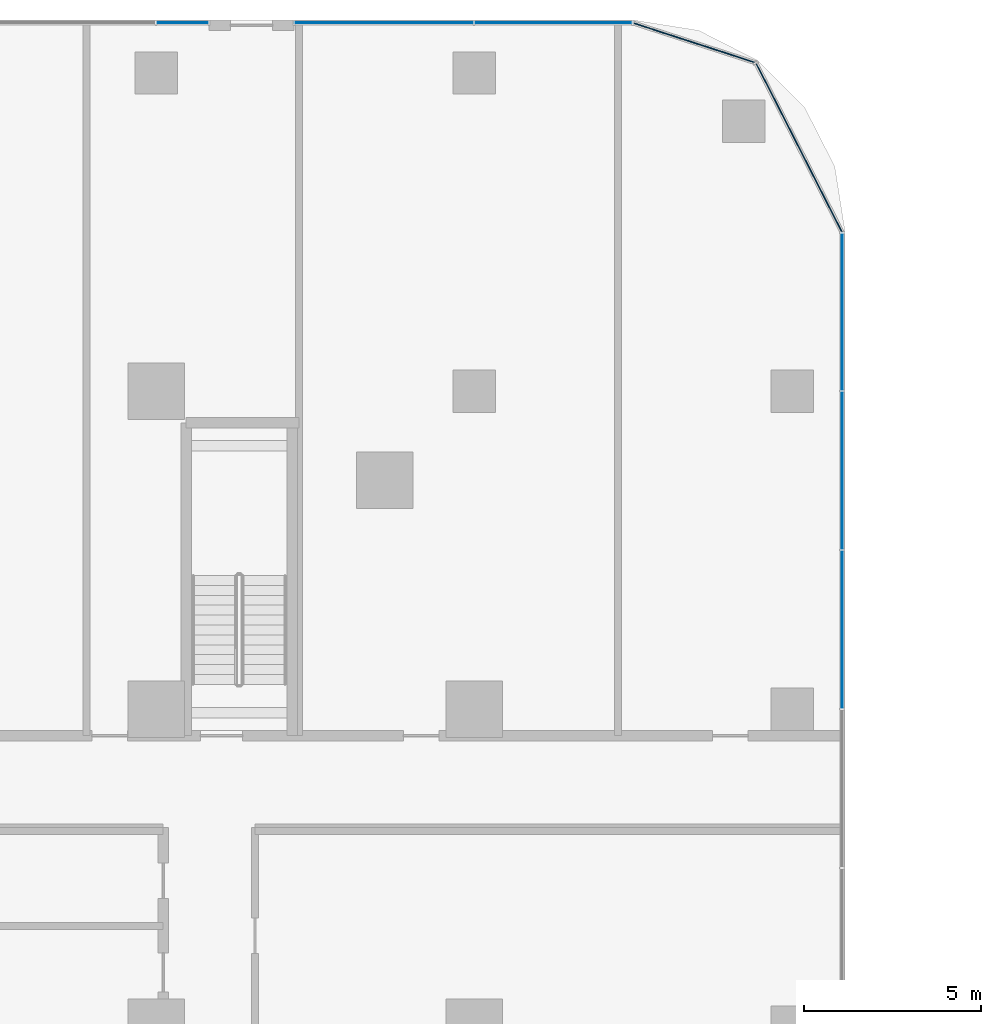
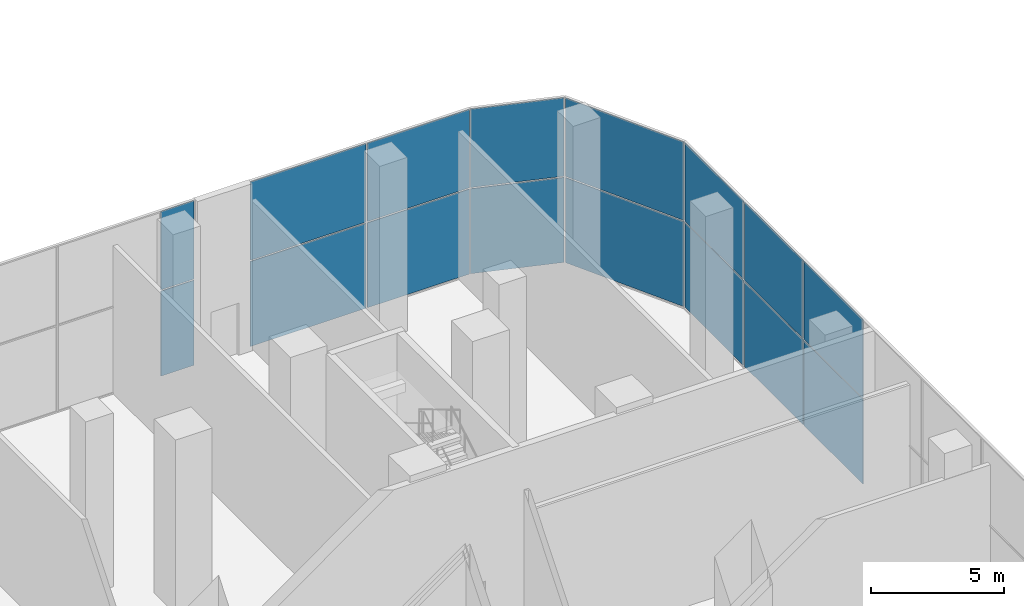
# One storey, part 27 of 54: 16 plates, 4 elements without a shape of their own.
"""IFC4 building model written with IfcOpenShell, lengths in metres."""

import ifcopenshell
import ifcopenshell.guid

model = None  # the IFC model being written
_history = None  # IfcOwnerHistory: only IFC2X3 demands one
_inside = {}  # id of a spatial element -> (the spatial element, [elements in it])
_under = {}  # id of a project, library or spatial element -> (it, [spatial elements below it])
_declared = {}  # id of a project -> (the project, [libraries it declares])
_typed = {}  # id of a type object -> (the type object, [elements of that type])
_made_of = {}  # id of a material, layer set ... -> (it, [elements and type objects made of it])


def new_model(schema):
    """Start an empty IFC model of exactly this schema.

    Asked for "IFC4X3", IfcOpenShell would pick the latest addendum, in which some entities
    have other attributes; the version numbers below select the first issue.
    IFC2X3 requires an IfcOwnerHistory on every rooted entity: one is made here for all.
    """
    global model, _history
    if schema == "IFC4X3":
        model = ifcopenshell.file(schema_version=(4, 3, 0, 0))
    else:
        model = ifcopenshell.file(schema=schema)
    _inside.clear()
    _under.clear()
    _declared.clear()
    _typed.clear()
    _made_of.clear()
    _history = None
    if model.schema == "IFC2X3":
        org = make("IfcOrganization", Name="unknown")
        user = make(
            "IfcPersonAndOrganization",
            ThePerson=make("IfcPerson", FamilyName="unknown"),
            TheOrganization=org,
        )
        app = make(
            "IfcApplication",
            ApplicationDeveloper=org,
            Version="unknown",
            ApplicationFullName="unknown",
            ApplicationIdentifier="unknown",
        )
        _history = make(
            "IfcOwnerHistory",
            OwningUser=user,
            OwningApplication=app,
            ChangeAction="ADDED",
            CreationDate=0,
        )
    return model


def make(cls, **values):
    """One entity of the class cls with the attributes given. An attribute that is None is left unset."""
    return model.create_entity(
        cls, **{name: value for name, value in values.items() if value is not None}
    )


def rooted(cls, **values):
    """An entity with a GlobalId (a new one), such as an element, a storey or a relation."""
    return make(cls, GlobalId=ifcopenshell.guid.new(), OwnerHistory=_history, **values)


def si_unit(unit_type, name, prefix=None):
    """IfcSIUnit, for example si_unit("LENGTHUNIT", "METRE", prefix="MILLI")."""
    return make("IfcSIUnit", UnitType=unit_type, Prefix=prefix, Name=name)


def assignment(units):
    """IfcUnitAssignment: the units of a project."""
    return None if units is None else make("IfcUnitAssignment", Units=units)


def point(xyz):
    """IfcCartesianPoint."""
    return None if xyz is None else make("IfcCartesianPoint", Coordinates=xyz)


def direction(xyz):
    """IfcDirection."""
    return None if xyz is None else make("IfcDirection", DirectionRatios=xyz)


def frame(location, z_axis=None, x_axis=None):
    """IfcAxis2Placement3D, a coordinate frame: its origin and axes. An axis left out is left unset."""
    return make(
        "IfcAxis2Placement3D",
        Location=point(location),
        Axis=direction(z_axis),
        RefDirection=direction(x_axis),
    )


def frame_2d(location, x_axis=None):
    """IfcAxis2Placement2D, a coordinate frame in the plane: its origin and x axis."""
    return make(
        "IfcAxis2Placement2D", Location=point(location), RefDirection=direction(x_axis)
    )


def origin():
    """The frame at (0, 0, 0) with its axes left unset."""
    return frame((0.0, 0.0, 0.0))


def origin_2d():
    """The frame at (0, 0) in the plane with its x axis left unset."""
    return frame_2d((0.0, 0.0))


def place(relative_to, where):
    """IfcLocalPlacement: puts the frame where relative to a parent placement (None: the world)."""
    return make(
        "IfcLocalPlacement", PlacementRelTo=relative_to, RelativePlacement=where
    )


def context(
    kind, dimensions, precision=None, world=None, true_north=None, identifier=None
):
    """IfcGeometricRepresentationContext, for example the 3D "Model" context."""
    return make(
        "IfcGeometricRepresentationContext",
        ContextIdentifier=identifier,
        ContextType=kind,
        CoordinateSpaceDimension=dimensions,
        Precision=precision,
        WorldCoordinateSystem=world,
        TrueNorth=true_north,
    )


def subcontext(parent, identifier, kind, view, scale=None):
    """IfcGeometricRepresentationSubContext, for example "Body" below "Model"."""
    return make(
        "IfcGeometricRepresentationSubContext",
        ContextIdentifier=identifier,
        ContextType=kind,
        ParentContext=parent,
        TargetScale=scale,
        TargetView=view,
    )


def project(units=None, contexts=None):
    """IfcProject with its units and contexts."""
    return rooted(
        "IfcProject",
        Name="project",
        RepresentationContexts=contexts,
        UnitsInContext=assignment(units),
    )


def spatial(cls, under=None, at=None, **own):
    """A site, building, storey or space (cls), placed at a placement, below another one or the project."""
    s = rooted(cls, ObjectPlacement=at, **own)
    if under is not None:
        _under.setdefault(under.id(), (under, []))[1].append(s)
    return s


def profile(cls, at=None, kind="AREA", **sizes):
    """A parametric profile (cls). Its sizes go by their IFC names, for example OverallWidth=200.0."""
    return make(cls, ProfileType=kind, Position=at, **sizes)


def rectangle(**sizes):
    """IfcRectangleProfileDef."""
    return profile("IfcRectangleProfileDef", **sizes)


def extrude(swept, where, along, depth):
    """IfcExtrudedAreaSolid: the profile swept, set in the frame where, extruded along a direction by depth."""
    return make(
        "IfcExtrudedAreaSolid",
        SweptArea=swept,
        Position=where,
        ExtrudedDirection=direction(along),
        Depth=depth,
    )


def shape(context_of_items, identifier, shape_type, items):
    """IfcShapeRepresentation: the items that make up one representation, for example the "Body"."""
    return make(
        "IfcShapeRepresentation",
        ContextOfItems=context_of_items,
        RepresentationIdentifier=identifier,
        RepresentationType=shape_type,
        Items=items,
    )


def material(Name=None, Category=None):
    """IfcMaterial."""
    return make("IfcMaterial", Name=Name, Category=Category)


def layer(
    of_material, thickness, ventilated=None, Name=None, Category=None, Priority=None
):
    """IfcMaterialLayer: one layer of a wall or slab, of a material (None: an air gap)."""
    return make(
        "IfcMaterialLayer",
        Material=of_material,
        LayerThickness=thickness,
        IsVentilated=ventilated,
        Name=Name,
        Category=Category,
        Priority=Priority,
    )


def layer_set(layers, Name=None):
    """IfcMaterialLayerSet."""
    return make("IfcMaterialLayerSet", MaterialLayers=layers, LayerSetName=Name)


def made_of(thing, what):
    """Note that an element or type object is made of a material, layer set ...; save() writes the relation."""
    if what is not None:
        _made_of.setdefault(what.id(), (what, []))[1].append(thing)
    return thing


def type_object(cls, material=None, **own):
    """A type object (cls), such as IfcWallType, which elements share."""
    return made_of(rooted(cls, **own), material)


def element(
    cls,
    number,
    at=None,
    inside=None,
    cuts=None,
    type_object=None,
    material=None,
    context=None,
    identifier="Body",
    shape_type=None,
    held_by="IfcProductDefinitionShape",
    body=None,
    shapes=None,
    **own,
):
    """One element of the class cls, such as IfcWall. Its Tag is "e" and its number.

    at: its placement. inside: the storey or other place that contains it. cuts: it is an
    opening in that element (IfcRelVoidsElement). A single representation is given by context,
    identifier, shape_type and body (its items); several are given by shapes. held_by: the class
    of the entity that holds the representations. save() writes the other relations.
    """
    e = rooted(cls, Tag="e%d" % number, ObjectPlacement=at, **own)
    if body is not None:
        shapes = [shape(context, identifier, shape_type, body)]
    if shapes is not None:
        e.Representation = make(held_by, Representations=shapes)
    if inside is not None:
        _inside.setdefault(inside.id(), (inside, []))[1].append(e)
    if cuts is not None:
        rooted(
            "IfcRelVoidsElement", RelatingBuildingElement=cuts, RelatedOpeningElement=e
        )
    if type_object is not None:
        _typed.setdefault(type_object.id(), (type_object, []))[1].append(e)
    return made_of(e, material)


def aggregate(whole, parts):
    """IfcRelAggregates: a whole, such as a stair, and the parts it consists of."""
    return rooted("IfcRelAggregates", RelatingObject=whole, RelatedObjects=parts)


def save(model, path):
    """Write the relations noted so far, then the file.

    IfcRelAggregates (storeys below a building ...), IfcRelContainedInSpatialStructure (elements
    in a storey), IfcRelDefinesByType, IfcRelAssociatesMaterial and IfcRelDeclares: one each for
    every whole, place, type object, material and project.
    """
    for whole, parts in _under.values():
        aggregate(whole, parts)
    for where, things in _inside.values():
        rooted(
            "IfcRelContainedInSpatialStructure",
            RelatedElements=things,
            RelatingStructure=where,
        )
    for kind, things in _typed.values():
        rooted("IfcRelDefinesByType", RelatedObjects=things, RelatingType=kind)
    for what, things in _made_of.values():
        rooted("IfcRelAssociatesMaterial", RelatedObjects=things, RelatingMaterial=what)
    for by, libraries in _declared.values():
        rooted("IfcRelDeclares", RelatingContext=by, RelatedDefinitions=libraries)
    model.write(path)


model = new_model("IFC4")

# Units and contexts
model_context = context("Model", 3, precision=1e-05, world=origin(), true_north=direction((0.0, 1.0)))
body_context = subcontext(model_context, "Body", "Model", "MODEL_VIEW")
ifc_project = project(units=[si_unit("LENGTHUNIT", "METRE"), si_unit("AREAUNIT", "SQUARE_METRE"), si_unit("VOLUMEUNIT", "CUBIC_METRE"), si_unit("PLANEANGLEUNIT", "RADIAN"), si_unit("MASSUNIT", "GRAM", prefix="KILO")], contexts=[model_context])

# Site, building, storey
site_placement = place(None, origin())
site = spatial("IfcSite", under=ifc_project, at=site_placement, CompositionType="ELEMENT")
building_placement = place(site_placement, origin())
building = spatial("IfcBuilding", under=site, at=building_placement, Name="Ogive Portal Towers", CompositionType="ELEMENT")
storey_placement = place(building_placement, origin())
storey = spatial("IfcBuildingStorey", under=building, at=storey_placement, Name="L00", CompositionType="ELEMENT", Elevation=0.0)

# Curtain wall, plates
ifc_material = material(Name="Glass, clear low-iron insulated glazing", Category="glass")
curtain_wall_type = type_object("IfcCurtainWallType", Name="CW PODIUM SHOPFRONT", PredefinedType="NOTDEFINED", material=ifc_material)
curtain_wall_1_placement = place(storey_placement, origin())
curtain_wall_1 = element("IfcCurtainWall", 1, at=curtain_wall_1_placement, inside=storey, type_object=curtain_wall_type, Name="A:L00:f11:cw0", PredefinedType="NOTDEFINED")
ifc_layer = layer(ifc_material, 0.028076171875)
ifc_layer_set = layer_set([ifc_layer], Name="CW PANEL IGU 28")
plate_type = type_object("IfcPlateType", Name="CW PANEL IGU 28", PredefinedType="CURTAIN_PANEL", material=ifc_layer_set)
plate_1_placement = place(storey_placement, frame((59.919921875, 68.75, 0.06005859375), z_axis=(0.0, 0.0, 1.0), x_axis=(0.0, 1.0, 0.0)))
plate_1 = element("IfcPlate", 2, at=plate_1_placement, type_object=plate_type, Name="panel", PredefinedType="CURTAIN_PANEL", context=body_context, shape_type="SweptSolid", body=[
    extrude(rectangle(XDim=4.43994140625, YDim=0.028076171875, at=origin_2d()), origin(), (0.0, 0.0, 1.0), 3.909912109375),
])
plate_2_placement = place(storey_placement, frame((59.919921875, 68.75, 4.02978515625), z_axis=(0.0, 0.0, 1.0), x_axis=(0.0, 1.0, 0.0)))
plate_2 = element("IfcPlate", 3, at=plate_2_placement, type_object=plate_type, Name="panel", PredefinedType="CURTAIN_PANEL", context=body_context, shape_type="SweptSolid", body=[
    extrude(rectangle(XDim=4.43994140625, YDim=0.028076171875, at=origin_2d()), origin(), (0.0, 0.0, 1.0), 3.610107421875),
])
plate_3_placement = place(storey_placement, frame((59.919921875, 73.25, 0.06005859375), z_axis=(0.0, 0.0, 1.0), x_axis=(0.0, 1.0, 0.0)))
plate_3 = element("IfcPlate", 4, at=plate_3_placement, type_object=plate_type, Name="panel", PredefinedType="CURTAIN_PANEL", context=body_context, shape_type="SweptSolid", body=[
    extrude(rectangle(XDim=4.43994140625, YDim=0.028076171875, at=origin_2d()), origin(), (0.0, 0.0, 1.0), 3.909912109375),
])
plate_4_placement = place(storey_placement, frame((59.919921875, 73.25, 4.02978515625), z_axis=(0.0, 0.0, 1.0), x_axis=(0.0, 1.0, 0.0)))
plate_4 = element("IfcPlate", 5, at=plate_4_placement, type_object=plate_type, Name="panel", PredefinedType="CURTAIN_PANEL", context=body_context, shape_type="SweptSolid", body=[
    extrude(rectangle(XDim=4.43994140625, YDim=0.028076171875, at=origin_2d()), origin(), (0.0, 0.0, 1.0), 3.610107421875),
])
plate_5_placement = place(storey_placement, frame((59.919921875, 77.740478515625, 0.06005859375), z_axis=(0.0, 0.0, 1.0), x_axis=(0.0, 1.0, 0.0)))
plate_5 = element("IfcPlate", 6, at=plate_5_placement, type_object=plate_type, Name="panel", PredefinedType="CURTAIN_PANEL", context=body_context, shape_type="SweptSolid", body=[
    extrude(rectangle(XDim=4.4208984375, YDim=0.028076171875, at=origin_2d()), origin(), (0.0, 0.0, 1.0), 3.909912109375),
])
plate_6_placement = place(storey_placement, frame((59.919921875, 77.740478515625, 4.02978515625), z_axis=(0.0, 0.0, 1.0), x_axis=(0.0, 1.0, 0.0)))
plate_6 = element("IfcPlate", 7, at=plate_6_placement, type_object=plate_type, Name="panel", PredefinedType="CURTAIN_PANEL", context=body_context, shape_type="SweptSolid", body=[
    extrude(rectangle(XDim=4.4208984375, YDim=0.028076171875, at=origin_2d()), origin(), (0.0, 0.0, 1.0), 3.610107421875),
])
aggregate(curtain_wall_1, [plate_1, plate_2, plate_3, plate_4, plate_5, plate_6])

curtain_wall_2_placement = place(storey_placement, origin())
curtain_wall_2 = element("IfcCurtainWall", 8, at=curtain_wall_2_placement, inside=storey, type_object=curtain_wall_type, Name="A:L00:f14:cw0", PredefinedType="NOTDEFINED")
plate_7_placement = place(storey_placement, frame((51.74365234375, 85.919921875, 0.06005859375), z_axis=(0.0, 0.0, 1.0), x_axis=(-1.0, 0.0, 0.0)))
plate_7 = element("IfcPlate", 9, at=plate_7_placement, type_object=plate_type, Name="panel", PredefinedType="CURTAIN_PANEL", context=body_context, shape_type="SweptSolid", body=[
    extrude(rectangle(XDim=4.42724609375, YDim=0.028076171875, at=origin_2d()), origin(), (0.0, 0.0, 1.0), 3.909912109375),
])
plate_8_placement = place(storey_placement, frame((51.74365234375, 85.919921875, 4.02978515625), z_axis=(0.0, 0.0, 1.0), x_axis=(-1.0, 0.0, 0.0)))
plate_8 = element("IfcPlate", 10, at=plate_8_placement, type_object=plate_type, Name="panel", PredefinedType="CURTAIN_PANEL", context=body_context, shape_type="SweptSolid", body=[
    extrude(rectangle(XDim=4.42724609375, YDim=0.028076171875, at=origin_2d()), origin(), (0.0, 0.0, 1.0), 3.610107421875),
])
plate_9_placement = place(storey_placement, frame((46.94921875, 85.919921875, 0.06005859375), z_axis=(0.0, 0.0, 1.0), x_axis=(-1.0, 0.0, 0.0)))
plate_9 = element("IfcPlate", 11, at=plate_9_placement, type_object=plate_type, Name="panel", PredefinedType="CURTAIN_PANEL", context=body_context, shape_type="SweptSolid", body=[
    extrude(rectangle(XDim=5.041259765625, YDim=0.028076171875, at=origin_2d()), origin(), (0.0, 0.0, 1.0), 3.909912109375),
])
plate_10_placement = place(storey_placement, frame((46.94921875, 85.919921875, 4.02978515625), z_axis=(0.0, 0.0, 1.0), x_axis=(-1.0, 0.0, 0.0)))
plate_10 = element("IfcPlate", 12, at=plate_10_placement, type_object=plate_type, Name="panel", PredefinedType="CURTAIN_PANEL", context=body_context, shape_type="SweptSolid", body=[
    extrude(rectangle(XDim=5.041259765625, YDim=0.028076171875, at=origin_2d()), origin(), (0.0, 0.0, 1.0), 3.610107421875),
])
aggregate(curtain_wall_2, [plate_7, plate_8, plate_9, plate_10])

curtain_wall_3_placement = place(storey_placement, origin())
curtain_wall_3 = element("IfcCurtainWall", 13, at=curtain_wall_3_placement, inside=storey, type_object=curtain_wall_type, Name="A:L00:f14:cw1", PredefinedType="NOTDEFINED")
plate_11_placement = place(storey_placement, frame((41.250732421875, 85.919921875, 0.06005859375), z_axis=(0.0, 0.0, 1.0), x_axis=(-1.0, 0.0, 0.0)))
plate_11 = element("IfcPlate", 14, at=plate_11_placement, type_object=plate_type, Name="panel", PredefinedType="CURTAIN_PANEL", context=body_context, shape_type="SweptSolid", body=[
    extrude(rectangle(XDim=1.44140625, YDim=0.028076171875, at=origin_2d()), origin(), (0.0, 0.0, 1.0), 3.909912109375),
])
plate_12_placement = place(storey_placement, frame((41.250732421875, 85.919921875, 4.02978515625), z_axis=(0.0, 0.0, 1.0), x_axis=(-1.0, 0.0, 0.0)))
plate_12 = element("IfcPlate", 15, at=plate_12_placement, type_object=plate_type, Name="panel", PredefinedType="CURTAIN_PANEL", context=body_context, shape_type="SweptSolid", body=[
    extrude(rectangle(XDim=1.44140625, YDim=0.028076171875, at=origin_2d()), origin(), (0.0, 0.0, 1.0), 3.610107421875),
])
aggregate(curtain_wall_3, [plate_11, plate_12])

curtain_wall_4_placement = place(storey_placement, origin())
curtain_wall_4 = element("IfcCurtainWall", 16, at=curtain_wall_4_placement, inside=storey, type_object=curtain_wall_type, Name="A:L00:f12:cwa", PredefinedType="NOTDEFINED")
plate_13_placement = place(storey_placement, frame((58.6953125, 82.384521484375, 0.06005859375), z_axis=(0.0, 0.0, 1.0), x_axis=(-0.45399049974, 0.891006524188, 0.0)))
plate_13 = element("IfcPlate", 17, at=plate_13_placement, type_object=plate_type, Name="panel", PredefinedType="CURTAIN_PANEL", context=body_context, shape_type="SweptSolid", body=[
    extrude(rectangle(XDim=5.33544921875, YDim=0.028076171875, at=origin_2d()), origin(), (0.0, 0.0, 1.0), 3.909912109375),
])
plate_14_placement = place(storey_placement, frame((58.6953125, 82.384521484375, 4.02978515625), z_axis=(0.0, 0.0, 1.0), x_axis=(-0.45399049974, 0.891006524188, 0.0)))
plate_14 = element("IfcPlate", 18, at=plate_14_placement, type_object=plate_type, Name="panel", PredefinedType="CURTAIN_PANEL", context=body_context, shape_type="SweptSolid", body=[
    extrude(rectangle(XDim=5.33544921875, YDim=0.028076171875, at=origin_2d()), origin(), (0.0, 0.0, 1.0), 3.610107421875),
])
plate_15_placement = place(storey_placement, frame((55.72900390625, 85.354248046875, 0.06005859375), z_axis=(0.0, 0.0, 1.0), x_axis=(-0.951056516295, 0.309016994375, 0.0)))
plate_15 = element("IfcPlate", 19, at=plate_15_placement, type_object=plate_type, Name="panel", PredefinedType="CURTAIN_PANEL", context=body_context, shape_type="SweptSolid", body=[
    extrude(rectangle(XDim=3.602294921875, YDim=0.028076171875, at=origin_2d()), origin(), (0.0, 0.0, 1.0), 3.909912109375),
])
plate_16_placement = place(storey_placement, frame((55.72900390625, 85.354248046875, 4.02978515625), z_axis=(0.0, 0.0, 1.0), x_axis=(-0.951056516295, 0.309016994375, 0.0)))
plate_16 = element("IfcPlate", 20, at=plate_16_placement, type_object=plate_type, Name="panel", PredefinedType="CURTAIN_PANEL", context=body_context, shape_type="SweptSolid", body=[
    extrude(rectangle(XDim=3.602294921875, YDim=0.028076171875, at=origin_2d()), origin(), (0.0, 0.0, 1.0), 3.610107421875),
])
aggregate(curtain_wall_4, [plate_13, plate_14, plate_15, plate_16])

save(model, "model.ifc")
